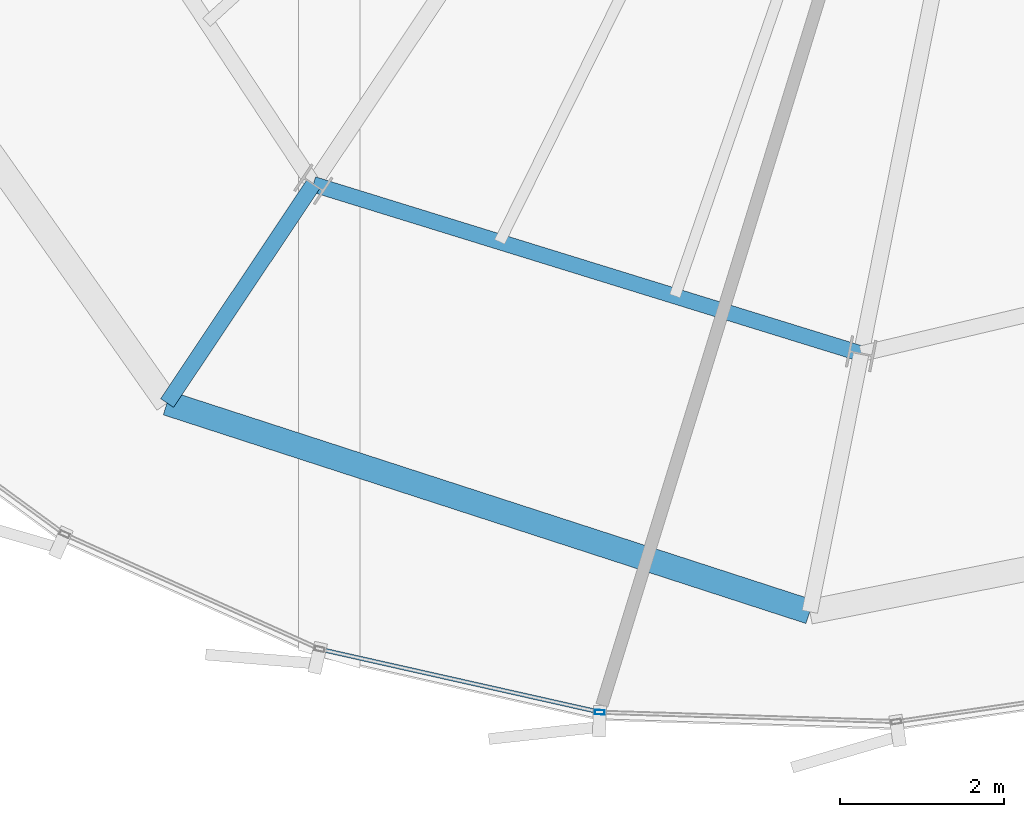
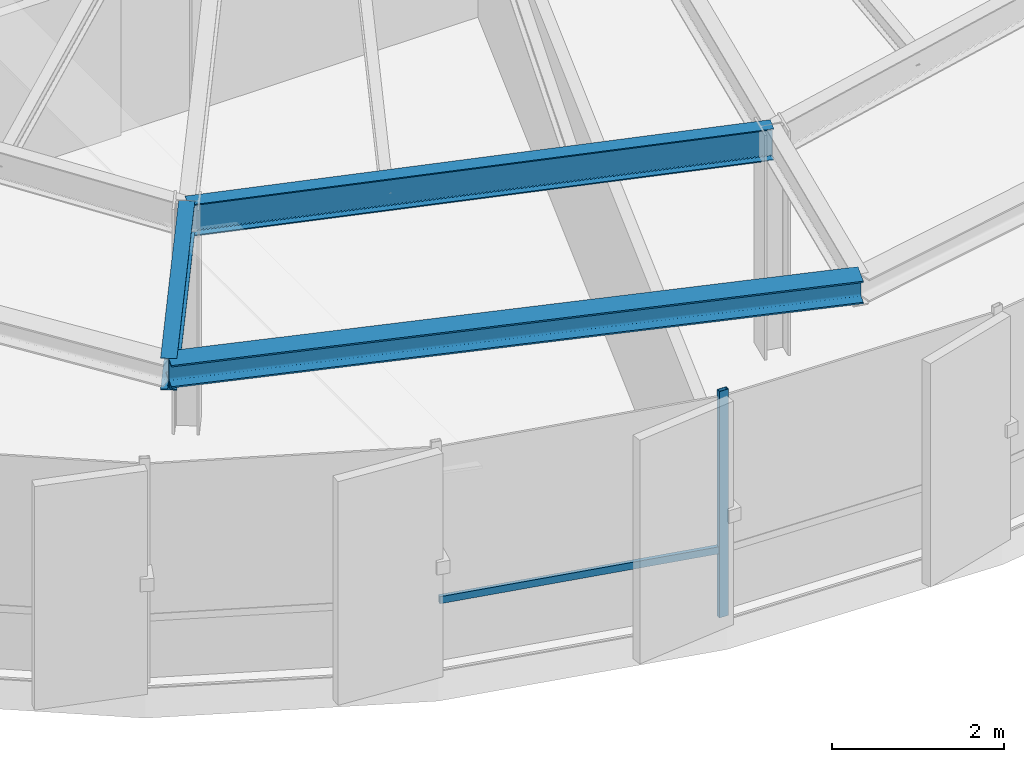
# One storey, part 3 of 36: 3 beams, 2 members, 1 element without a shape of its own.
"""IFC4 building model written with IfcOpenShell, lengths in metres."""

from ifc_helpers import new_model, si_unit, direction, frame, origin, origin_2d, place, context, subcontext, project, spatial, hollow_rectangle, i_section, extrude, source, transform, mapped, material, layer, layer_set, material_profile, profile_set, type_object, element, aggregate, save


model = new_model("IFC4")

# Units and contexts
model_context = context("Model", 3, precision=1e-05, world=origin(), true_north=direction((0.0, 1.0)))
body_context = subcontext(model_context, "Body", "Model", "MODEL_VIEW")
ifc_project = project(units=[si_unit("LENGTHUNIT", "METRE"), si_unit("AREAUNIT", "SQUARE_METRE"), si_unit("VOLUMEUNIT", "CUBIC_METRE"), si_unit("PLANEANGLEUNIT", "RADIAN"), si_unit("MASSUNIT", "GRAM", prefix="KILO"), si_unit("THERMODYNAMICTEMPERATUREUNIT", "KELVIN")], contexts=[model_context])

# Site, building, storey
site_placement = place(None, origin())
site = spatial("IfcSite", under=ifc_project, at=site_placement, CompositionType="ELEMENT")
building_placement = place(site_placement, origin())
building = spatial("IfcBuilding", under=site, at=building_placement, Name="Kethvar Cultural Tower", CompositionType="ELEMENT")
storey_placement = place(building_placement, frame((0.0, 0.0, 228.39990234375)))
storey = spatial("IfcBuildingStorey", under=building, at=storey_placement, Name="L59", CompositionType="ELEMENT", Elevation=228.39990234375)

# Beams
ifc_material_1 = material(Name="Steel S355J2", Category="steel")
ifc_material_profile_1 = material_profile(ifc_material_1, i_section(OverallWidth=0.18994140625, OverallDepth=0.449951171875, WebThickness=0.009521484375, FlangeThickness=0.0146484375, FilletRadius=0.02099609375, at=origin_2d()), Name="Steel S355J2 — IPE450")
ifc_profile_set_1 = profile_set([ifc_material_profile_1], Name="Steel S355J2 — IPE450")
beam_type_1 = type_object("IfcBeamType", Name="BM-IPE450", PredefinedType="BEAM", material=ifc_profile_set_1)
shared_shape_1 = source(origin(), body_context, "Body", "SweptSolid", [
    extrude(i_section(OverallWidth=0.18994140625, OverallDepth=0.449951171875, WebThickness=0.009521484375, FlangeThickness=0.0146484375, FilletRadius=0.02099609375, at=origin_2d()), origin(), (0.0, 0.0, 1.0), 3.199951171875),
])
beam_1_placement = place(storey_placement, frame((36.731201171875, 12.73095703125, 2.983154296875), z_axis=(-0.555580212716, -0.831462943996, 0.0), x_axis=(0.831462943996, -0.555580212716, 0.0)))
element("IfcBeam", 1, at=beam_1_placement, inside=storey, type_object=beam_type_1, Name="L59 Perimeter Cantilever Beam RC-11", PredefinedType="BEAM", context=body_context, shape_type="MappedRepresentation", body=[
    mapped(shared_shape_1, transform((0.0, 0.0, 0.0), scale=1.0)),
])
shared_shape_2 = source(origin(), body_context, "Body", "SweptSolid", [
    extrude(i_section(OverallWidth=0.18994140625, OverallDepth=0.449951171875, WebThickness=0.009521484375, FlangeThickness=0.0146484375, FilletRadius=0.02099609375, at=origin_2d()), origin(), (0.0, 0.0, 1.0), 6.97265625),
])
beam_2_placement = place(storey_placement, frame((36.731201171875, 12.73095703125, 2.983154296875), z_axis=(0.955381444404, -0.295374839295, 0.0), x_axis=(0.295374839295, 0.955381444404, 0.0)))
element("IfcBeam", 2, at=beam_2_placement, inside=storey, type_object=beam_type_1, Name="L59 Column Ring Tie Beam CR-11", PredefinedType="BEAM", context=body_context, shape_type="MappedRepresentation", body=[
    mapped(shared_shape_2, transform((0.0, 0.0, 0.0), scale=1.0)),
])
ifc_material_profile_2 = material_profile(ifc_material_1, i_section(OverallWidth=0.300048828125, OverallDepth=0.320068359375, WebThickness=0.011474609375, FlangeThickness=0.0205078125, FilletRadius=0.027099609375, at=origin_2d()), Name="Steel S355J2 — HEB320")
ifc_profile_set_2 = profile_set([ifc_material_profile_2], Name="Steel S355J2 — HEB320")
beam_type_2 = type_object("IfcBeamType", Name="BM-SP320", PredefinedType="SPANDREL", material=ifc_profile_set_2)
shared_shape_3 = source(origin(), body_context, "Body", "SweptSolid", [
    extrude(i_section(OverallWidth=0.300048828125, OverallDepth=0.320068359375, WebThickness=0.011474609375, FlangeThickness=0.0205078125, FilletRadius=0.027099609375, at=origin_2d()), origin(), (0.0, 0.0, 1.0), 8.216796875),
])
beam_3_placement = place(storey_placement, frame((34.953369140625, 10.0703125, 3.048095703125), z_axis=(0.951117661456, -0.30882874553, 0.0), x_axis=(0.30882874553, 0.951117661456, 0.0)))
element("IfcBeam", 3, at=beam_3_placement, inside=storey, type_object=beam_type_2, Name="L59 Perimeter Spandrel Beam SP-11", PredefinedType="SPANDREL", context=body_context, shape_type="MappedRepresentation", body=[
    mapped(shared_shape_3, transform((0.0, 0.0, 0.0), scale=1.0)),
])

# Curtain wall, members
ifc_material_2 = material(Name="Aluminium 6063-T6", Category="aluminium")
ifc_layer = layer(ifc_material_2, 0.179931640625, Name="Aluminium 6063-T6", Category="aluminium")
ifc_layer_set = layer_set([ifc_layer], Name="Aluminium 6063-T6 (180 mm)")
curtain_wall_type = type_object("IfcCurtainWallType", Name="CW-SYS-05-Z56", PredefinedType="NOTDEFINED", material=ifc_layer_set)
curtain_wall_placement = place(storey_placement, origin())
curtain_wall = element("IfcCurtainWall", 4, at=curtain_wall_placement, inside=storey, type_object=curtain_wall_type, Name="L59 Curtain Wall Run 04", PredefinedType="NOTDEFINED")
ifc_material_profile_3 = material_profile(ifc_material_2, hollow_rectangle(XDim=0.054931640625, YDim=0.1201171875, WallThickness=0.00390625, at=origin_2d()), Name="Aluminium 6063-T6 — RHS120x55x4")
ifc_profile_set_3 = profile_set([ifc_material_profile_3], Name="Aluminium 6063-T6 — RHS120x55x4")
member_type_1 = type_object("IfcMemberType", Name="CW-SYS-05-Z56-MUL", PredefinedType="MULLION", material=ifc_profile_set_3)
shared_shape_4 = source(origin(), body_context, "Body", "SweptSolid", [
    extrude(hollow_rectangle(XDim=0.054931640625, YDim=0.1201171875, WallThickness=0.00390625, at=origin_2d()), origin(), (0.0, 0.0, 1.0), 3.210205078125),
])
member_1_placement = place(storey_placement, frame((40.21435546875, 6.3115234375, 0.0), z_axis=(0.0, 0.0, 1.0), x_axis=(0.031375869698, 0.999507656199, 0.0)))
member_1 = element("IfcMember", 5, at=member_1_placement, type_object=member_type_1, Name="CW-L59-R04 Mullion 4", PredefinedType="MULLION", context=body_context, shape_type="MappedRepresentation", body=[
    mapped(shared_shape_4, transform((0.0, 0.0, 0.0), scale=1.0)),
])
ifc_material_profile_4 = material_profile(ifc_material_2, hollow_rectangle(XDim=0.050048828125, YDim=0.10009765625, WallThickness=0.00390625, at=origin_2d()), Name="Aluminium 6063-T6 — RHS100x50x4")
ifc_profile_set_4 = profile_set([ifc_material_profile_4], Name="Aluminium 6063-T6 — RHS100x50x4")
member_type_2 = type_object("IfcMemberType", Name="CW-SYS-05-Z56-TRN", PredefinedType="USERDEFINED", material=ifc_profile_set_4)
shared_shape_5 = source(origin(), body_context, "Body", "SweptSolid", [
    extrude(hollow_rectangle(XDim=0.050048828125, YDim=0.10009765625, WallThickness=0.00390625, at=origin_2d()), origin(), (0.0, 0.0, 1.0), 3.4306640625),
])
member_2_placement = place(storey_placement, frame((36.847412109375, 7.070068359375, 0.9501953125), z_axis=(0.975651649005, -0.219325921388, 0.0), x_axis=(0.219325921388, 0.975651649005, 0.0)))
member_2 = element("IfcMember", 6, at=member_2_placement, type_object=member_type_2, Name="CW-L59-R04 Transom 3", ObjectType="TRANSOM", PredefinedType="USERDEFINED", context=body_context, shape_type="MappedRepresentation", body=[
    mapped(shared_shape_5, transform((0.0, 0.0, 0.0), scale=1.0)),
])
aggregate(curtain_wall, [member_1, member_2])

save(model, "model.ifc")
